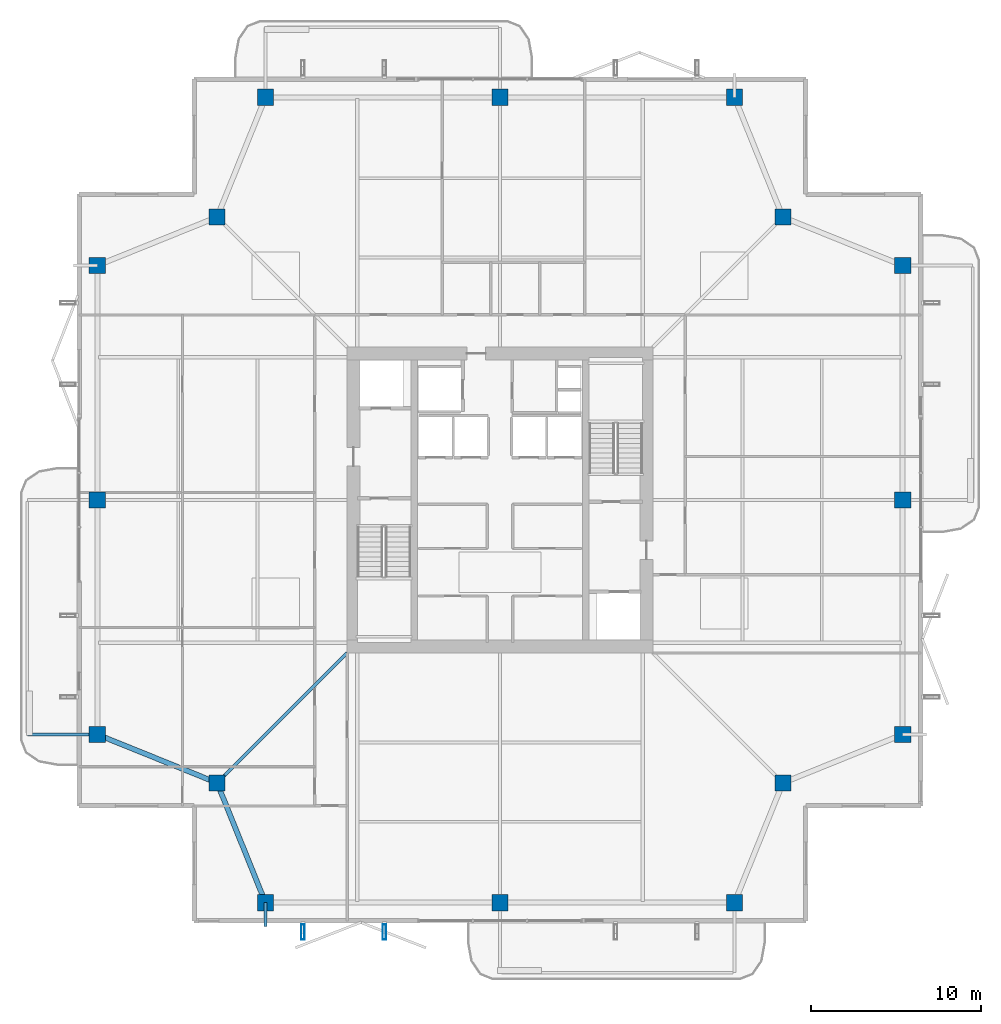
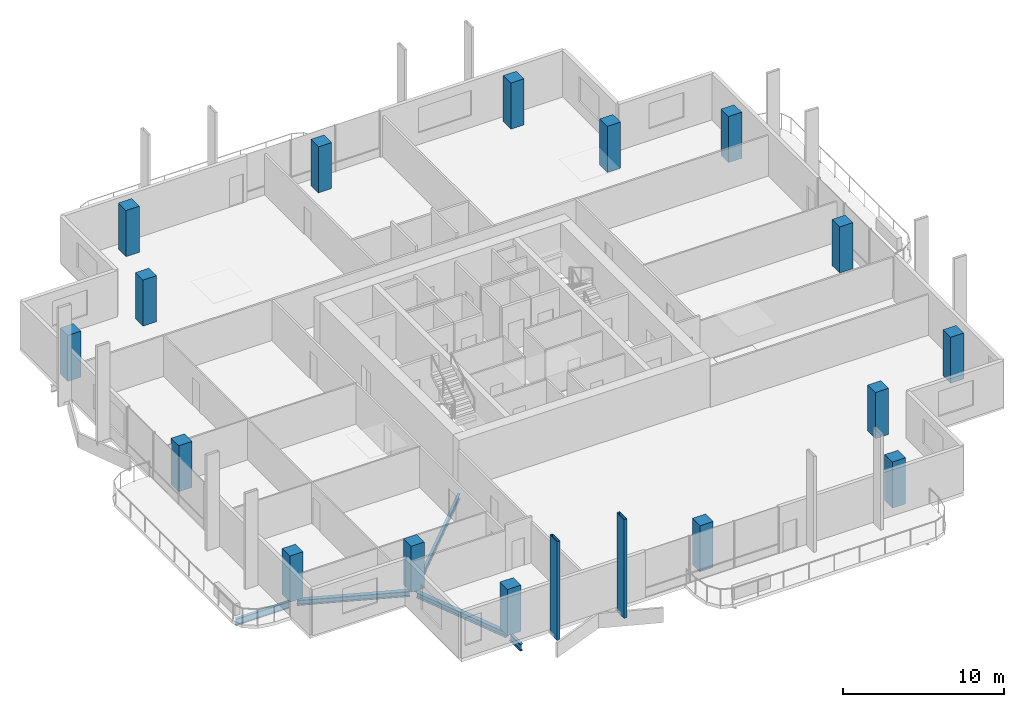
# One storey, part 1 of 25: 16 columns, 5 beams, 2 members.
"""IFC4 building model written with IfcOpenShell, lengths in metres."""

from ifc_helpers import new_model, si_unit, direction, frame, origin, origin_2d, place, context, subcontext, project, spatial, rectangle, hollow_rectangle, i_section, extrude, material, material_profile, profile_set, type_object, element, save


model = new_model("IFC4")

# Units and contexts
model_context = context("Model", 3, precision=1e-05, world=origin(), true_north=direction((0.0, 1.0)))
body_context = subcontext(model_context, "Body", "Model", "MODEL_VIEW")
ifc_project = project(units=[si_unit("LENGTHUNIT", "METRE"), si_unit("AREAUNIT", "SQUARE_METRE"), si_unit("VOLUMEUNIT", "CUBIC_METRE"), si_unit("PLANEANGLEUNIT", "RADIAN"), si_unit("MASSUNIT", "GRAM", prefix="KILO")], contexts=[model_context])

# Site, building, storey
site_placement = place(None, origin())
site = spatial("IfcSite", under=ifc_project, at=site_placement, CompositionType="ELEMENT")
building_placement = place(site_placement, origin())
building = spatial("IfcBuilding", under=site, at=building_placement, Name="Belovzor Exchange Tower", CompositionType="ELEMENT")
storey_placement = place(building_placement, frame((0.0, 0.0, 272.85009765625)))
storey = spatial("IfcBuildingStorey", under=building, at=storey_placement, Name="L68", CompositionType="ELEMENT", Elevation=272.85009765625)

# Columns
ifc_material_1 = material(Name="Concrete C50/60", Category="concrete")
ifc_material_profile_1 = material_profile(ifc_material_1, rectangle(XDim=0.949951171875, YDim=0.949951171875, at=origin_2d()))
ifc_profile_set_1 = profile_set([ifc_material_profile_1], Name="Concrete C50/60")
column_type = type_object("IfcColumnType", Name="Reinforced Concrete Tower Column 950x950", PredefinedType="COLUMN", material=ifc_profile_set_1)
for number, where, z_axis, x_axis, name in (
    (1, (15.0, 5.10009765625, 0.0029296875), (0.0, 0.0, 1.0), (1.0, 0.0, 0.0), "COL-T095 Reinforced Concrete Tower Column 950x950"),
    (2, (28.800048828125, 5.10009765625, 0.0029296875), (0.0, 0.0, 1.0), (1.0, 0.0, 0.0), "COL-T095 Reinforced Concrete Tower Column 950x950"),
    (3, (42.60009765625, 5.10009765625, 0.0029296875), (0.0, 0.0, 1.0), (1.0, 0.0, 0.0), "COL-T095 Reinforced Concrete Tower Column 950x950"),
    (4, (52.5, 15.0, 0.0029296875), (0.0, 0.0, 1.0), (1.0, 0.0, 0.0), "COL-T095 Reinforced Concrete Tower Column 950x950"),
    (5, (52.5, 28.800048828125, 0.0029296875), (0.0, 0.0, 1.0), (1.0, 0.0, 0.0), "COL-T095 Reinforced Concrete Tower Column 950x950"),
    (6, (52.5, 42.60009765625, 0.0029296875), (0.0, 0.0, 1.0), (1.0, 0.0, 0.0), "COL-T095 Reinforced Concrete Tower Column 950x950"),
    (7, (42.60009765625, 52.5, 0.0029296875), (0.0, 0.0, 1.0), (1.0, 0.0, 0.0), "COL-T095 Reinforced Concrete Tower Column 950x950"),
    (8, (28.800048828125, 52.5, 0.0029296875), (0.0, 0.0, 1.0), (1.0, 0.0, 0.0), "COL-T095 Reinforced Concrete Tower Column 950x950"),
    (9, (15.0, 52.5, 0.0029296875), (0.0, 0.0, 1.0), (1.0, 0.0, 0.0), "COL-T095 Reinforced Concrete Tower Column 950x950"),
    (10, (5.10009765625, 42.60009765625, 0.0029296875), (0.0, 0.0, 1.0), (1.0, 0.0, 0.0), "COL-T095 Reinforced Concrete Tower Column 950x950"),
    (11, (5.10009765625, 28.800048828125, 0.0029296875), (0.0, 0.0, 1.0), (1.0, 0.0, 0.0), "COL-T095 Reinforced Concrete Tower Column 950x950"),
    (12, (5.10009765625, 15.0, 0.0029296875), (0.0, 0.0, 1.0), (1.0, 0.0, 0.0), "COL-T095 Reinforced Concrete Tower Column 950x950"),
    (13, (12.14990234375, 12.14990234375, 0.0029296875), (0.0, 0.0, 1.0), (1.0, 0.0, 0.0), "COL-T095 Reinforced Concrete Tower Column 950x950"),
    (14, (45.449951171875, 12.14990234375, 0.0029296875), (0.0, 0.0, 1.0), (1.0, 0.0, 0.0), "COL-T095 Reinforced Concrete Tower Column 950x950"),
    (15, (45.449951171875, 45.449951171875, 0.0029296875), (0.0, 0.0, 1.0), (1.0, 0.0, 0.0), "COL-T095 Reinforced Concrete Tower Column 950x950"),
    (16, (12.14990234375, 45.449951171875, 0.0029296875), (0.0, 0.0, 1.0), (1.0, 0.0, 0.0), "COL-T095 Reinforced Concrete Tower Column 950x950"),
):
    element("IfcColumn", number, at=place(storey_placement, frame(where, z_axis=z_axis, x_axis=x_axis)), inside=storey, type_object=column_type, Name=name, PredefinedType="COLUMN", context=body_context, shape_type="SweptSolid", body=[
        extrude(rectangle(XDim=0.949951171875, YDim=0.949951171875, at=origin_2d()), origin(), (0.0, 0.0, 1.0), 3.493896484375),
    ])

# Beams
ifc_material_2 = material(Name="Steel S355", Category="steel")
ifc_material_profile_2 = material_profile(ifc_material_2, i_section(OverallWidth=0.199951171875, OverallDepth=0.5, WebThickness=0.01025390625, FlangeThickness=0.01611328125, at=origin_2d()))
ifc_profile_set_2 = profile_set([ifc_material_profile_2], Name="Steel S355")
beam_type_1 = type_object("IfcBeamType", Name="Planted Balcony Cantilever Beam IPE 500", PredefinedType="BEAM", material=ifc_profile_set_2)
beam_1_placement = place(storey_placement, frame((4.839111328125, 15.0, -0.5), z_axis=(-1.0, 0.0, 0.0), x_axis=(0.0, -1.0, 0.0)))
element("IfcBeam", 17, at=beam_1_placement, inside=storey, type_object=beam_type_1, Name="BC-500 Planted Balcony Cantilever Beam IPE 500", PredefinedType="BEAM", context=body_context, shape_type="SweptSolid", body=[
    extrude(i_section(OverallWidth=0.199951171875, OverallDepth=0.5, WebThickness=0.01025390625, FlangeThickness=0.01611328125, at=origin_2d()), origin(), (0.0, 0.0, 1.0), 3.85009765625),
])
beam_2_placement = place(storey_placement, frame((15.0, 5.10009765625, -0.5), z_axis=(0.0, -1.0, 0.0), x_axis=(1.0, 0.0, 0.0)))
element("IfcBeam", 18, at=beam_2_placement, inside=storey, type_object=beam_type_1, Name="BC-500 Planted Balcony Cantilever Beam IPE 500", PredefinedType="BEAM", context=body_context, shape_type="SweptSolid", body=[
    extrude(i_section(OverallWidth=0.199951171875, OverallDepth=0.5, WebThickness=0.01025390625, FlangeThickness=0.01611328125, at=origin_2d()), origin(), (0.0, 0.0, 1.0), 1.400146484375),
])

# Members
ifc_material_3 = material(Name="Extruded Architectural Terracotta on Steel S355 Carrier", Category="masonry")
ifc_material_profile_3 = material_profile(ifc_material_3, hollow_rectangle(XDim=0.199951171875, YDim=0.89990234375, WallThickness=0.011962890625, at=origin_2d()))
ifc_profile_set_3 = profile_set([ifc_material_profile_3], Name="Extruded Architectural Terracotta on Steel S355 Carrier")
member_type = type_object("IfcMemberType", Name="Sweeping Terracotta Baguette Fin Assembly 950", PredefinedType="USERDEFINED", material=ifc_profile_set_3)
for number, where, z_axis, x_axis, name in (
    (19, (17.199951171875, 3.375, -0.25), (0.0, 0.0, 1.0), (1.0, 0.0, 0.0), "FIN-TC095 Terracotta Facade Fin L68 S1"),
    (20, (22.0, 3.375, -0.25), (0.0, 0.0, 1.0), (1.0, 0.0, 0.0), "FIN-TC095 Terracotta Facade Fin L68 S2"),
):
    element("IfcMember", number, at=place(storey_placement, frame(where, z_axis=z_axis, x_axis=x_axis)), inside=storey, type_object=member_type, Name=name, ObjectType="FIN", PredefinedType="USERDEFINED", context=body_context, shape_type="SweptSolid", body=[
        extrude(hollow_rectangle(XDim=0.199951171875, YDim=0.89990234375, WallThickness=0.011962890625, at=origin_2d()), origin(), (0.0, 0.0, 1.0), 7.5),
    ])

# Beams
ifc_material_4 = material(Name="Steel S355", Category="steel")
ifc_material_profile_4 = material_profile(ifc_material_4, i_section(OverallWidth=0.300048828125, OverallDepth=0.39990234375, WebThickness=0.013427734375, FlangeThickness=0.02392578125, at=origin_2d()))
ifc_profile_set_4 = profile_set([ifc_material_profile_4], Name="Steel S355")
beam_type_2 = type_object("IfcBeamType", Name="Zone 5 Primary Girder HEB 400", PredefinedType="BEAM", material=ifc_profile_set_4)
for number, where, z_axis, x_axis, name in (
    (21, (12.248046875, 11.907958984375, -0.4501953125), (0.374758283536, -0.927122553345, 0.0), (0.927122553345, 0.374758283536, 0.0), "FG-Z5 Zone 5 Primary Girder HEB 400"),
    (22, (5.342041015625, 14.902099609375, -0.4501953125), (0.927122553345, -0.374758283536, 0.0), (0.374758283536, 0.927122553345, 0.0), "FG-Z5 Zone 5 Primary Girder HEB 400"),
):
    element("IfcBeam", number, at=place(storey_placement, frame(where, z_axis=z_axis, x_axis=x_axis)), inside=storey, type_object=beam_type_2, Name=name, PredefinedType="BEAM", context=body_context, shape_type="SweptSolid", body=[
        extrude(i_section(OverallWidth=0.300048828125, OverallDepth=0.39990234375, WebThickness=0.013427734375, FlangeThickness=0.02392578125, at=origin_2d()), origin(), (0.0, 0.0, 1.0), 7.08203125),
    ])
ifc_material_5 = material(Name="Steel S355", Category="steel")
ifc_material_profile_5 = material_profile(ifc_material_5, i_section(OverallWidth=0.179931640625, OverallDepth=0.39990234375, WebThickness=0.008544921875, FlangeThickness=0.013427734375, at=origin_2d()))
ifc_profile_set_5 = profile_set([ifc_material_profile_5], Name="Steel S355")
beam_type_3 = type_object("IfcBeamType", Name="Zone 5-6 Radial Composite Floor Beam IPE 400", PredefinedType="BEAM", material=ifc_profile_set_5)
beam_3_placement = place(storey_placement, frame((19.800048828125, 19.800048828125, -0.4501953125), z_axis=(-0.707106781187, -0.707106781187, 0.0), x_axis=(0.707106781187, -0.707106781187, 0.0)))
element("IfcBeam", 23, at=beam_3_placement, inside=storey, type_object=beam_type_3, Name="FB-400 Zone 5-6 Radial Composite Floor Beam IPE 400", PredefinedType="BEAM", context=body_context, shape_type="SweptSolid", body=[
    extrude(i_section(OverallWidth=0.179931640625, OverallDepth=0.39990234375, WebThickness=0.008544921875, FlangeThickness=0.013427734375, at=origin_2d()), origin(), (0.0, 0.0, 1.0), 10.482421875),
])

save(model, "model.ifc")
